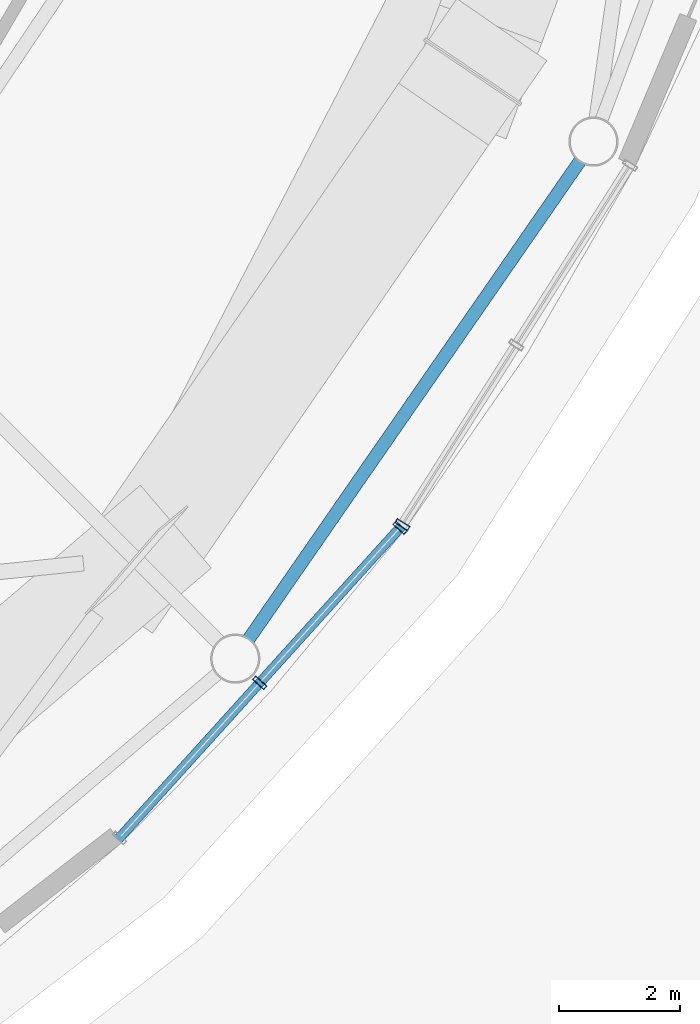
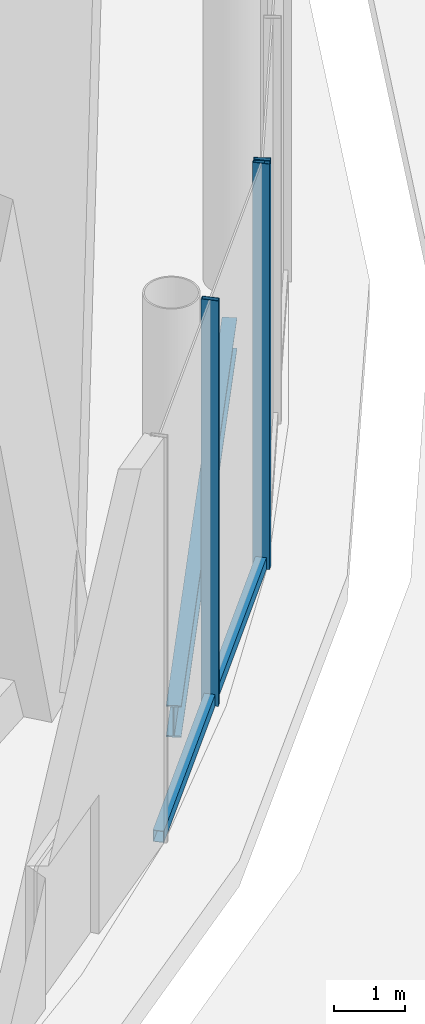
# One storey, part 30 of 67: 4 members, 1 beam, 2 elements without a shape of their own.
"""IFC4 building model written with IfcOpenShell, lengths in metres."""

from ifc_helpers import new_model, si_unit, direction, frame, origin, origin_2d, place, context, subcontext, project, spatial, hollow_rectangle, i_section, extrude, material, layer, layer_set, material_profile, profile_set, type_object, element, aggregate, save


model = new_model("IFC4")

# Units and contexts
model_context = context("Model", 3, precision=1e-05, world=origin(), true_north=direction((0.0, 1.0)))
body_context = subcontext(model_context, "Body", "Model", "MODEL_VIEW")
ifc_project = project(units=[si_unit("LENGTHUNIT", "METRE"), si_unit("AREAUNIT", "SQUARE_METRE"), si_unit("VOLUMEUNIT", "CUBIC_METRE"), si_unit("PLANEANGLEUNIT", "RADIAN"), si_unit("MASSUNIT", "GRAM", prefix="KILO")], contexts=[model_context])

# Site, building, storey
site_placement = place(None, origin())
site = spatial("IfcSite", under=ifc_project, at=site_placement, CompositionType="ELEMENT")
building_placement = place(site_placement, origin())
building = spatial("IfcBuilding", under=site, at=building_placement, Name="Nagisa Residences", CompositionType="ELEMENT")
storey_placement = place(building_placement, origin())
storey = spatial("IfcBuildingStorey", under=building, at=storey_placement, Name="L00", CompositionType="ELEMENT", Elevation=0.0)

# Beam
ifc_material_1 = material(Name="Steel ASTM A572 Gr 50", Category="steel")
ifc_material_profile_1 = material_profile(ifc_material_1, i_section(OverallWidth=0.214111328125, OverallDepth=0.549072265625, WebThickness=0.0146484375, FlangeThickness=0.023681640625, at=origin_2d()), Name="W530x138")
ifc_profile_set_1 = profile_set([ifc_material_profile_1], Name="Steel ASTM A572 Gr 50")
beam_type = type_object("IfcBeamType", Name="Atrium ring beam W530x138", PredefinedType="BEAM", material=ifc_profile_set_1)
beam_placement = place(storey_placement, frame((30.12451171875, -28.815185546875, -0.674560546875), z_axis=(0.569488756983, 0.821999121453, 0.0), x_axis=(-0.821999121453, 0.569488756983, 0.0)))
element("IfcBeam", 1, at=beam_placement, inside=storey, type_object=beam_type, Name="beam:L00:ab22", PredefinedType="BEAM", context=body_context, shape_type="SweptSolid", body=[
    extrude(i_section(OverallWidth=0.214111328125, OverallDepth=0.549072265625, WebThickness=0.0146484375, FlangeThickness=0.023681640625, at=origin_2d()), origin(), (0.0, 0.0, 1.0), 9.607666015625),
])

# Curtain wall, members
ifc_material_2 = material(Name="Stainless steel curtain wall system", Category="steel")
ifc_layer = layer(ifc_material_2, 0.159912109375)
ifc_layer_set = layer_set([ifc_layer], Name="CW3 CURTAIN WALL")
curtain_wall_type = type_object("IfcCurtainWallType", Name="CW3 CURTAIN WALL", PredefinedType="NOTDEFINED", material=ifc_layer_set)
curtain_wall_1_placement = place(storey_placement, origin())
curtain_wall_1 = element("IfcCurtainWall", 2, at=curtain_wall_1_placement, inside=storey, type_object=curtain_wall_type, Name="cw:CW3:L00:31", PredefinedType="NOTDEFINED")
ifc_material_3 = material(Name="Stainless steel", Category="steel")
ifc_material_profile_2 = material_profile(ifc_material_3, hollow_rectangle(XDim=0.25, YDim=0.080078125, WallThickness=0.008056640625, at=origin_2d()), Name="CW3 MULLION 250x80")
ifc_profile_set_2 = profile_set([ifc_material_profile_2], Name="Stainless steel")
member_type_1 = type_object("IfcMemberType", Name="CW3 MULLION 250x80", PredefinedType="MULLION", material=ifc_profile_set_2)
member_1_placement = place(storey_placement, frame((30.30859375, -29.53173828125, 0.0), z_axis=(0.0, 0.0, 1.0), x_axis=(-0.741535779122, 0.670913323971, 0.0)))
member_1 = element("IfcMember", 3, at=member_1_placement, type_object=member_type_1, Name="CW3 mullion", PredefinedType="MULLION", context=body_context, shape_type="SweptSolid", body=[
    extrude(hollow_rectangle(XDim=0.25, YDim=0.080078125, WallThickness=0.008056640625, at=origin_2d()), origin(), (0.0, 0.0, 1.0), 7.0),
])
member_2_placement = place(storey_placement, frame((32.62353515625, -26.97314453125, 0.0), z_axis=(0.0, 0.0, 1.0), x_axis=(-0.741535779122, 0.670913323971, 0.0)))
member_2 = element("IfcMember", 4, at=member_2_placement, type_object=member_type_1, Name="CW3 mullion", PredefinedType="MULLION", context=body_context, shape_type="SweptSolid", body=[
    extrude(hollow_rectangle(XDim=0.25, YDim=0.080078125, WallThickness=0.008056640625, at=origin_2d()), origin(), (0.0, 0.0, 1.0), 7.0),
])

# Curtain wall, member
curtain_wall_2_placement = place(storey_placement, origin())
curtain_wall_2 = element("IfcCurtainWall", 5, at=curtain_wall_2_placement, inside=storey, type_object=curtain_wall_type, Name="cw:CW3:L00:32", PredefinedType="NOTDEFINED")
member_3_placement = place(storey_placement, frame((32.66357421875, -26.92041015625, 0.0), z_axis=(0.0, 0.0, 1.0), x_axis=(-0.844747368001, 0.535165286856, 0.0)))
member_3 = element("IfcMember", 6, at=member_3_placement, type_object=member_type_1, Name="CW3 mullion", PredefinedType="MULLION", context=body_context, shape_type="SweptSolid", body=[
    extrude(hollow_rectangle(XDim=0.25, YDim=0.080078125, WallThickness=0.008056640625, at=origin_2d()), origin(), (0.0, 0.0, 1.0), 7.0),
])
aggregate(curtain_wall_2, [member_3])

# Member
ifc_material_4 = material(Name="Stainless steel", Category="steel")
ifc_material_profile_3 = material_profile(ifc_material_4, hollow_rectangle(XDim=0.159912109375, YDim=0.199951171875, WallThickness=0.008056640625, at=origin_2d()), Name="CW3 TRANSOM 160x200")
ifc_profile_set_3 = profile_set([ifc_material_profile_3], Name="Stainless steel")
member_type_2 = type_object("IfcMemberType", Name="CW3 TRANSOM 160x200", PredefinedType="USERDEFINED", material=ifc_profile_set_3)
member_4_placement = place(storey_placement, frame((27.966552734375, -32.1201171875, 0.10009765625), z_axis=(0.670921565259, 0.741528322635, 0.0), x_axis=(-0.741528322635, 0.670921565259, 0.0)))
member_4 = element("IfcMember", 7, at=member_4_placement, type_object=member_type_2, Name="CW3 transom", ObjectType="TRANSOM", PredefinedType="USERDEFINED", context=body_context, shape_type="SweptSolid", body=[
    extrude(hollow_rectangle(XDim=0.159912109375, YDim=0.199951171875, WallThickness=0.008056640625, at=origin_2d()), origin(), (0.0, 0.0, 1.0), 6.981201171875),
])

aggregate(curtain_wall_1, [member_1, member_2, member_4])

save(model, "model.ifc")
